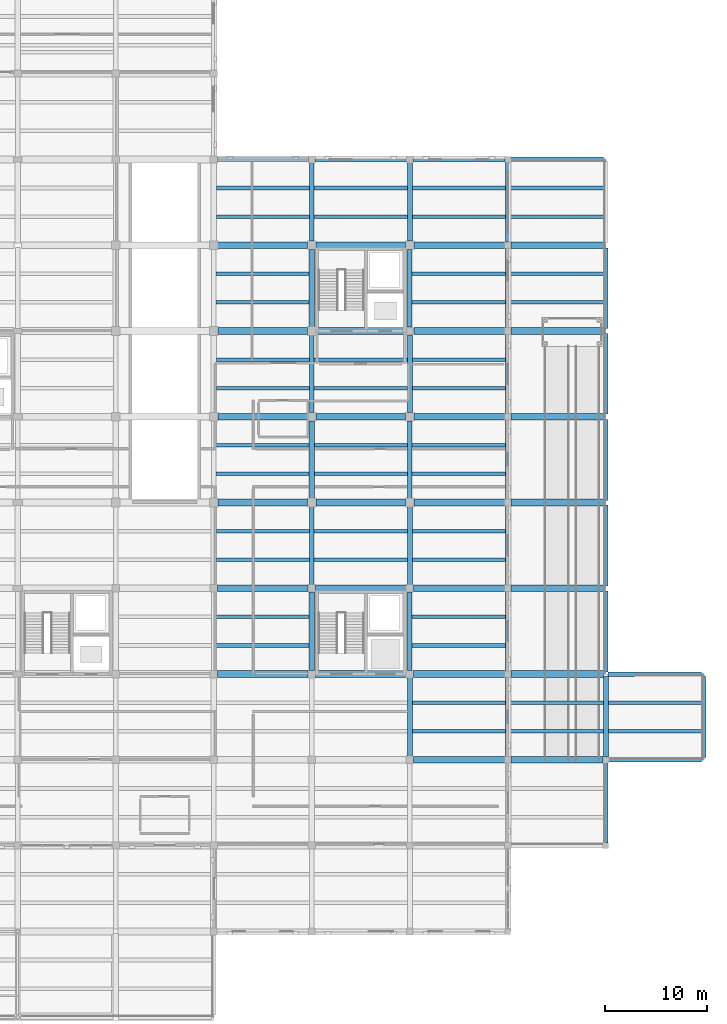
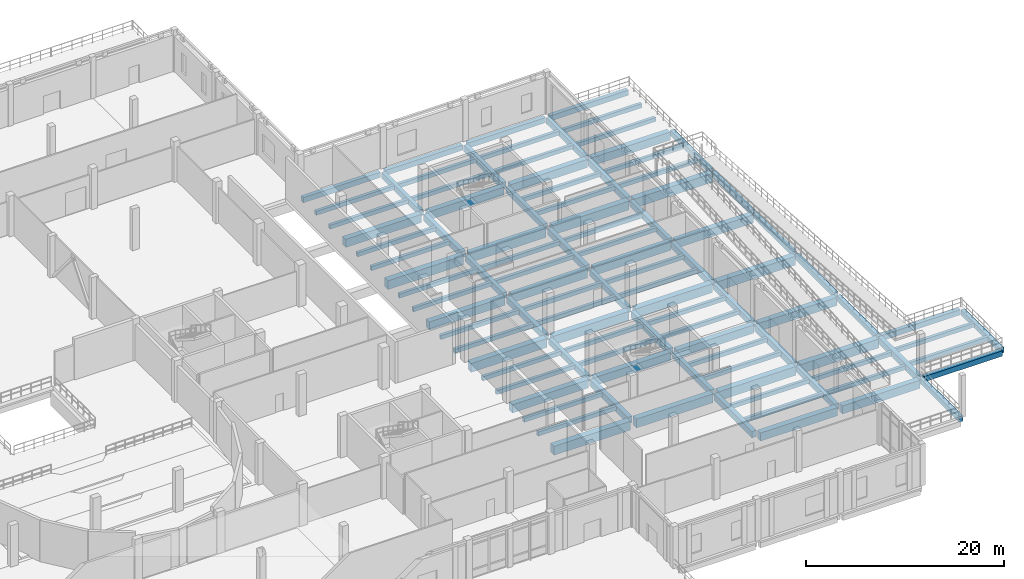
# One storey, part 38 of 71: 102 beams.
"""IFC4 building model written with IfcOpenShell, lengths in metres."""

from ifc_helpers import new_model, si_unit, direction, frame, origin, origin_2d, place, context, subcontext, project, spatial, rectangle, extrude, material, material_profile, profile_set, type_object, element, save


model = new_model("IFC4")

# Units and contexts
model_context = context("Model", 3, precision=1e-05, world=origin(), true_north=direction((0.0, 1.0)))
body_context = subcontext(model_context, "Body", "Model", "MODEL_VIEW")
ifc_project = project(units=[si_unit("LENGTHUNIT", "METRE"), si_unit("AREAUNIT", "SQUARE_METRE"), si_unit("VOLUMEUNIT", "CUBIC_METRE"), si_unit("PLANEANGLEUNIT", "RADIAN"), si_unit("MASSUNIT", "GRAM", prefix="KILO")], contexts=[model_context])

# Site, building, storey
site_placement = place(None, origin())
site = spatial("IfcSite", under=ifc_project, at=site_placement, CompositionType="ELEMENT")
building_placement = place(site_placement, origin())
building = spatial("IfcBuilding", under=site, at=building_placement, Name="Lornevale Opera House", CompositionType="ELEMENT")
storey_placement = place(building_placement, origin())
storey = spatial("IfcBuildingStorey", under=building, at=storey_placement, Name="L01", CompositionType="ELEMENT", Elevation=0.0)

# Beams
ifc_material_1 = material(Name="Concrete 35 MPa (CSA A23.1 N)", Category="concrete")
ifc_material_profile_1 = material_profile(ifc_material_1, rectangle(XDim=0.449951171875, YDim=0.75, at=origin_2d()), Name="RC450x750")
ifc_profile_set_1 = profile_set([ifc_material_profile_1], Name="Concrete 35 MPa (CSA A23.1 N)")
beam_type_1 = type_object("IfcBeamType", Name="Concrete Floor Beam 450x750", PredefinedType="USERDEFINED", material=ifc_profile_set_1)
beam_1_placement = place(storey_placement, frame((134.39990234375, 42.35009765625, -0.81494140625), z_axis=(0.0, 1.0, 0.0), x_axis=(-1.0, 0.0, 0.0)))
element("IfcBeam", 1, at=beam_1_placement, inside=storey, type_object=beam_type_1, Name="Concrete Floor Beam 450x750 1259", ObjectType="GIRDER", PredefinedType="USERDEFINED", context=body_context, shape_type="SweptSolid", body=[
    extrude(rectangle(XDim=0.449951171875, YDim=0.75, at=origin_2d()), origin(), (0.0, 0.0, 1.0), 7.64990234375),
])
beam_2_placement = place(storey_placement, frame((134.39990234375, 59.199951171875, -0.81494140625), z_axis=(0.0, 1.0, 0.0), x_axis=(-1.0, 0.0, 0.0)))
element("IfcBeam", 2, at=beam_2_placement, inside=storey, type_object=beam_type_1, Name="Concrete Floor Beam 450x750 1261", ObjectType="GIRDER", PredefinedType="USERDEFINED", context=body_context, shape_type="SweptSolid", body=[
    extrude(rectangle(XDim=0.449951171875, YDim=0.75, at=origin_2d()), origin(), (0.0, 0.0, 1.0), 7.60009765625),
])
for number, where, z_axis, x_axis, name in (
    (3, (134.39990234375, 76.0, -0.81494140625), (0.0, 1.0, 0.0), (-1.0, 0.0, 0.0), "Concrete Floor Beam 450x750 1263"),
    (4, (144.0, 33.949951171875, -0.81494140625), (0.0, 1.0, 0.0), (-1.0, 0.0, 0.0), "Concrete Floor Beam 450x750 1267"),
):
    element("IfcBeam", number, at=place(storey_placement, frame(where, z_axis=z_axis, x_axis=x_axis)), inside=storey, type_object=beam_type_1, Name=name, ObjectType="GIRDER", PredefinedType="USERDEFINED", context=body_context, shape_type="SweptSolid", body=[
        extrude(rectangle(XDim=0.449951171875, YDim=0.75, at=origin_2d()), origin(), (0.0, 0.0, 1.0), 7.699951171875),
    ])
for number, where, z_axis, x_axis, name in (
    (5, (144.0, 50.800048828125, -0.81494140625), (0.0, 1.0, 0.0), (-1.0, 0.0, 0.0), "Concrete Floor Beam 450x750 1269"),
    (6, (144.0, 67.60009765625, -0.81494140625), (0.0, 1.0, 0.0), (-1.0, 0.0, 0.0), "Concrete Floor Beam 450x750 1271"),
):
    element("IfcBeam", number, at=place(storey_placement, frame(where, z_axis=z_axis, x_axis=x_axis)), inside=storey, type_object=beam_type_1, Name=name, ObjectType="GIRDER", PredefinedType="USERDEFINED", context=body_context, shape_type="SweptSolid", body=[
        extrude(rectangle(XDim=0.449951171875, YDim=0.75, at=origin_2d()), origin(), (0.0, 0.0, 1.0), 7.599853515625),
    ])
for number, where, z_axis, x_axis, name in (
    (7, (153.60009765625, 25.5, -0.81494140625), (0.0, 1.0, 0.0), (-1.0, 0.0, 0.0), "Concrete Floor Beam 450x750 1275"),
    (8, (153.60009765625, 42.300048828125, -0.81494140625), (0.0, 1.0, 0.0), (-1.0, 0.0, 0.0), "Concrete Floor Beam 450x750 1277"),
):
    element("IfcBeam", number, at=place(storey_placement, frame(where, z_axis=z_axis, x_axis=x_axis)), inside=storey, type_object=beam_type_1, Name=name, ObjectType="GIRDER", PredefinedType="USERDEFINED", context=body_context, shape_type="SweptSolid", body=[
        extrude(rectangle(XDim=0.449951171875, YDim=0.75, at=origin_2d()), origin(), (0.0, 0.0, 1.0), 7.800048828125),
    ])
beam_3_placement = place(storey_placement, frame((153.60009765625, 59.10009765625, -0.81494140625), z_axis=(0.0, 1.0, 0.0), x_axis=(-1.0, 0.0, 0.0)))
element("IfcBeam", 9, at=beam_3_placement, inside=storey, type_object=beam_type_1, Name="Concrete Floor Beam 450x750 1279", ObjectType="GIRDER", PredefinedType="USERDEFINED", context=body_context, shape_type="SweptSolid", body=[
    extrude(rectangle(XDim=0.449951171875, YDim=0.75, at=origin_2d()), origin(), (0.0, 0.0, 1.0), 7.7998046875),
])
beam_4_placement = place(storey_placement, frame((153.60009765625, 75.89990234375, -0.81494140625), z_axis=(0.0, 1.0, 0.0), x_axis=(-1.0, 0.0, 0.0)))
element("IfcBeam", 10, at=beam_4_placement, inside=storey, type_object=beam_type_1, Name="Concrete Floor Beam 450x750 1281", ObjectType="GIRDER", PredefinedType="USERDEFINED", context=body_context, shape_type="SweptSolid", body=[
    extrude(rectangle(XDim=0.449951171875, YDim=0.75, at=origin_2d()), origin(), (0.0, 0.0, 1.0), 7.8251953125),
])
ifc_material_profile_2 = material_profile(ifc_material_1, rectangle(XDim=0.5, YDim=0.800048828125, at=origin_2d()), Name="RC500x800")
ifc_profile_set_2 = profile_set([ifc_material_profile_2], Name="Concrete 35 MPa (CSA A23.1 N)")
beam_type_2 = type_object("IfcBeamType", Name="Concrete Floor Beam 500x800", PredefinedType="USERDEFINED", material=ifc_profile_set_2)
beam_5_placement = place(storey_placement, frame((134.39990234375, 33.949951171875, -0.840087890625), z_axis=(0.0, 1.0, 0.0), x_axis=(-1.0, 0.0, 0.0)))
element("IfcBeam", 11, at=beam_5_placement, inside=storey, type_object=beam_type_2, Name="Concrete Floor Beam 500x800 1258", ObjectType="GIRDER", PredefinedType="USERDEFINED", context=body_context, shape_type="SweptSolid", body=[
    extrude(rectangle(XDim=0.5, YDim=0.800048828125, at=origin_2d()), origin(), (0.0, 0.0, 1.0), 7.699951171875),
])
for number, where, z_axis, x_axis, name in (
    (12, (134.39990234375, 50.800048828125, -0.840087890625), (0.0, 1.0, 0.0), (-1.0, 0.0, 0.0), "Concrete Floor Beam 500x800 1260"),
    (13, (134.39990234375, 67.60009765625, -0.840087890625), (0.0, 1.0, 0.0), (-1.0, 0.0, 0.0), "Concrete Floor Beam 500x800 1262"),
):
    element("IfcBeam", number, at=place(storey_placement, frame(where, z_axis=z_axis, x_axis=x_axis)), inside=storey, type_object=beam_type_2, Name=name, ObjectType="GIRDER", PredefinedType="USERDEFINED", context=body_context, shape_type="SweptSolid", body=[
        extrude(rectangle(XDim=0.5, YDim=0.800048828125, at=origin_2d()), origin(), (0.0, 0.0, 1.0), 7.599853515625),
    ])
beam_6_placement = place(storey_placement, frame((144.0, 25.550048828125, -0.840087890625), z_axis=(0.0, 1.0, 0.0), x_axis=(-1.0, 0.0, 0.0)))
element("IfcBeam", 14, at=beam_6_placement, inside=storey, type_object=beam_type_2, Name="Concrete Floor Beam 500x800 1266", ObjectType="GIRDER", PredefinedType="USERDEFINED", context=body_context, shape_type="SweptSolid", body=[
    extrude(rectangle(XDim=0.5, YDim=0.800048828125, at=origin_2d()), origin(), (0.0, 0.0, 1.0), 7.699951171875),
])
beam_7_placement = place(storey_placement, frame((144.0, 42.35009765625, -0.840087890625), z_axis=(0.0, 1.0, 0.0), x_axis=(-1.0, 0.0, 0.0)))
element("IfcBeam", 15, at=beam_7_placement, inside=storey, type_object=beam_type_2, Name="Concrete Floor Beam 500x800 1268", ObjectType="GIRDER", PredefinedType="USERDEFINED", context=body_context, shape_type="SweptSolid", body=[
    extrude(rectangle(XDim=0.5, YDim=0.800048828125, at=origin_2d()), origin(), (0.0, 0.0, 1.0), 7.64990234375),
])
beam_8_placement = place(storey_placement, frame((144.0, 59.199951171875, -0.840087890625), z_axis=(0.0, 1.0, 0.0), x_axis=(-1.0, 0.0, 0.0)))
element("IfcBeam", 16, at=beam_8_placement, inside=storey, type_object=beam_type_2, Name="Concrete Floor Beam 500x800 1270", ObjectType="GIRDER", PredefinedType="USERDEFINED", context=body_context, shape_type="SweptSolid", body=[
    extrude(rectangle(XDim=0.5, YDim=0.800048828125, at=origin_2d()), origin(), (0.0, 0.0, 1.0), 7.60009765625),
])
beam_9_placement = place(storey_placement, frame((144.0, 76.0, -0.840087890625), z_axis=(0.0, 1.0, 0.0), x_axis=(-1.0, 0.0, 0.0)))
element("IfcBeam", 17, at=beam_9_placement, inside=storey, type_object=beam_type_2, Name="Concrete Floor Beam 500x800 1272", ObjectType="GIRDER", PredefinedType="USERDEFINED", context=body_context, shape_type="SweptSolid", body=[
    extrude(rectangle(XDim=0.5, YDim=0.800048828125, at=origin_2d()), origin(), (0.0, 0.0, 1.0), 7.699951171875),
])
for number, where, z_axis, x_axis, name in (
    (18, (153.60009765625, 33.89990234375, -0.840087890625), (0.0, 1.0, 0.0), (-1.0, 0.0, 0.0), "Concrete Floor Beam 500x800 1276"),
    (19, (153.60009765625, 50.699951171875, -0.840087890625), (0.0, 1.0, 0.0), (-1.0, 0.0, 0.0), "Concrete Floor Beam 500x800 1278"),
    (20, (153.60009765625, 67.5, -0.840087890625), (0.0, 1.0, 0.0), (-1.0, 0.0, 0.0), "Concrete Floor Beam 500x800 1280"),
):
    element("IfcBeam", number, at=place(storey_placement, frame(where, z_axis=z_axis, x_axis=x_axis)), inside=storey, type_object=beam_type_2, Name=name, ObjectType="GIRDER", PredefinedType="USERDEFINED", context=body_context, shape_type="SweptSolid", body=[
        extrude(rectangle(XDim=0.5, YDim=0.800048828125, at=origin_2d()), origin(), (0.0, 0.0, 1.0), 7.800048828125),
    ])
beam_10_placement = place(storey_placement, frame((163.199951171875, 25.47509765625, -0.64990234375), z_axis=(0.0, 1.0, 0.0), x_axis=(-1.0, 0.0, 0.0)))
element("IfcBeam", 21, at=beam_10_placement, inside=storey, type_object=beam_type_2, Name="Concrete Floor Beam 500x800 1283", ObjectType="GIRDER", PredefinedType="USERDEFINED", context=body_context, shape_type="SweptSolid", body=[
    extrude(rectangle(XDim=0.5, YDim=0.800048828125, at=origin_2d()), origin(), (0.0, 0.0, 1.0), 7.89990234375),
])
ifc_material_2 = material(Name="Concrete 40 MPa (CSA A23.1 C-1)", Category="concrete")
ifc_material_profile_3 = material_profile(ifc_material_2, rectangle(XDim=0.64990234375, YDim=1.0, at=origin_2d()), Name="RC650x1000")
ifc_profile_set_3 = profile_set([ifc_material_profile_3], Name="Concrete 40 MPa (CSA A23.1 C-1)")
beam_type_3 = type_object("IfcBeamType", Name="Concrete Primary Girder 650x1000", PredefinedType="USERDEFINED", material=ifc_profile_set_3)
beam_11_placement = place(storey_placement, frame((144.35009765625, 25.199951171875, -0.93994140625), z_axis=(1.0, 0.0, 0.0), x_axis=(0.0, 1.0, 0.0)))
element("IfcBeam", 22, at=beam_11_placement, inside=storey, type_object=beam_type_3, Name="Concrete Primary Girder 650x1000 0904", ObjectType="GIRDER", PredefinedType="USERDEFINED", context=body_context, shape_type="SweptSolid", body=[
    extrude(rectangle(XDim=0.64990234375, YDim=1.0, at=origin_2d()), origin(), (0.0, 0.0, 1.0), 8.949951171875),
])
beam_12_placement = place(storey_placement, frame((153.89990234375, 25.199951171875, -0.93994140625), z_axis=(1.0, 0.0, 0.0), x_axis=(0.0, 1.0, 0.0)))
element("IfcBeam", 23, at=beam_12_placement, inside=storey, type_object=beam_type_3, Name="Concrete Primary Girder 650x1000 0905", ObjectType="GIRDER", PredefinedType="USERDEFINED", context=body_context, shape_type="SweptSolid", body=[
    extrude(rectangle(XDim=0.64990234375, YDim=1.0, at=origin_2d()), origin(), (0.0, 0.0, 1.0), 9.025146484375),
])
beam_13_placement = place(storey_placement, frame((125.14990234375, 42.0, -0.93994140625), z_axis=(1.0, 0.0, 0.0), x_axis=(0.0, 1.0, 0.0)))
element("IfcBeam", 24, at=beam_13_placement, inside=storey, type_object=beam_type_3, Name="Concrete Primary Girder 650x1000 0938", ObjectType="GIRDER", PredefinedType="USERDEFINED", context=body_context, shape_type="SweptSolid", body=[
    extrude(rectangle(XDim=0.64990234375, YDim=1.0, at=origin_2d()), origin(), (0.0, 0.0, 1.0), 8.900146484375),
])
beam_14_placement = place(storey_placement, frame((134.75, 42.0, -0.93994140625), z_axis=(1.0, 0.0, 0.0), x_axis=(0.0, 1.0, 0.0)))
element("IfcBeam", 25, at=beam_14_placement, inside=storey, type_object=beam_type_3, Name="Concrete Primary Girder 650x1000 0939", ObjectType="GIRDER", PredefinedType="USERDEFINED", context=body_context, shape_type="SweptSolid", body=[
    extrude(rectangle(XDim=0.64990234375, YDim=1.0, at=origin_2d()), origin(), (0.0, 0.0, 1.0), 8.89990234375),
])
beam_15_placement = place(storey_placement, frame((144.35009765625, 42.0, -0.93994140625), z_axis=(1.0, 0.0, 0.0), x_axis=(0.0, 1.0, 0.0)))
element("IfcBeam", 26, at=beam_15_placement, inside=storey, type_object=beam_type_3, Name="Concrete Primary Girder 650x1000 0940", ObjectType="GIRDER", PredefinedType="USERDEFINED", context=body_context, shape_type="SweptSolid", body=[
    extrude(rectangle(XDim=0.64990234375, YDim=1.0, at=origin_2d()), origin(), (0.0, 0.0, 1.0), 8.949951171875),
])
beam_16_placement = place(storey_placement, frame((153.89990234375, 42.0, -0.93994140625), z_axis=(1.0, 0.0, 0.0), x_axis=(0.0, 1.0, 0.0)))
element("IfcBeam", 27, at=beam_16_placement, inside=storey, type_object=beam_type_3, Name="Concrete Primary Girder 650x1000 0941", ObjectType="GIRDER", PredefinedType="USERDEFINED", context=body_context, shape_type="SweptSolid", body=[
    extrude(rectangle(XDim=0.64990234375, YDim=1.0, at=origin_2d()), origin(), (0.0, 0.0, 1.0), 9.050048828125),
])
for number, where, z_axis, x_axis, name in (
    (28, (125.199951171875, 58.800048828125, -0.93994140625), (1.0, 0.0, 0.0), (0.0, 1.0, 0.0), "Concrete Primary Girder 650x1000 0970"),
    (29, (134.800048828125, 58.800048828125, -0.93994140625), (1.0, 0.0, 0.0), (0.0, 1.0, 0.0), "Concrete Primary Girder 650x1000 0971"),
):
    element("IfcBeam", number, at=place(storey_placement, frame(where, z_axis=z_axis, x_axis=x_axis)), inside=storey, type_object=beam_type_3, Name=name, ObjectType="GIRDER", PredefinedType="USERDEFINED", context=body_context, shape_type="SweptSolid", body=[
        extrude(rectangle(XDim=0.64990234375, YDim=1.0, at=origin_2d()), origin(), (0.0, 0.0, 1.0), 8.800048828125),
    ])
beam_17_placement = place(storey_placement, frame((144.39990234375, 58.800048828125, -0.93994140625), z_axis=(1.0, 0.0, 0.0), x_axis=(0.0, 1.0, 0.0)))
element("IfcBeam", 30, at=beam_17_placement, inside=storey, type_object=beam_type_3, Name="Concrete Primary Girder 650x1000 0972", ObjectType="GIRDER", PredefinedType="USERDEFINED", context=body_context, shape_type="SweptSolid", body=[
    extrude(rectangle(XDim=0.64990234375, YDim=1.0, at=origin_2d()), origin(), (0.0, 0.0, 1.0), 8.900146484375),
])
beam_18_placement = place(storey_placement, frame((153.89990234375, 58.800048828125, -0.93994140625), z_axis=(1.0, 0.0, 0.0), x_axis=(0.0, 1.0, 0.0)))
element("IfcBeam", 31, at=beam_18_placement, inside=storey, type_object=beam_type_3, Name="Concrete Primary Girder 650x1000 0973", ObjectType="GIRDER", PredefinedType="USERDEFINED", context=body_context, shape_type="SweptSolid", body=[
    extrude(rectangle(XDim=0.64990234375, YDim=1.0, at=origin_2d()), origin(), (0.0, 0.0, 1.0), 9.050048828125),
])
beam_19_placement = place(storey_placement, frame((125.175048828125, 75.60009765625, -0.93994140625), z_axis=(1.0, 0.0, 0.0), x_axis=(0.0, 1.0, 0.0)))
element("IfcBeam", 32, at=beam_19_placement, inside=storey, type_object=beam_type_3, Name="Concrete Primary Girder 650x1000 1004", ObjectType="GIRDER", PredefinedType="USERDEFINED", context=body_context, shape_type="SweptSolid", body=[
    extrude(rectangle(XDim=0.64990234375, YDim=1.0, at=origin_2d()), origin(), (0.0, 0.0, 1.0), 8.824951171875),
])
beam_20_placement = place(storey_placement, frame((134.800048828125, 75.60009765625, -0.93994140625), z_axis=(1.0, 0.0, 0.0), x_axis=(0.0, 1.0, 0.0)))
element("IfcBeam", 33, at=beam_20_placement, inside=storey, type_object=beam_type_3, Name="Concrete Primary Girder 650x1000 1005", ObjectType="GIRDER", PredefinedType="USERDEFINED", context=body_context, shape_type="SweptSolid", body=[
    extrude(rectangle(XDim=0.64990234375, YDim=1.0, at=origin_2d()), origin(), (0.0, 0.0, 1.0), 8.800048828125),
])
beam_21_placement = place(storey_placement, frame((144.39990234375, 75.60009765625, -0.93994140625), z_axis=(1.0, 0.0, 0.0), x_axis=(0.0, 1.0, 0.0)))
element("IfcBeam", 34, at=beam_21_placement, inside=storey, type_object=beam_type_3, Name="Concrete Primary Girder 650x1000 1006", ObjectType="GIRDER", PredefinedType="USERDEFINED", context=body_context, shape_type="SweptSolid", body=[
    extrude(rectangle(XDim=0.64990234375, YDim=1.0, at=origin_2d()), origin(), (0.0, 0.0, 1.0), 8.900146484375),
])
beam_22_placement = place(storey_placement, frame((153.89990234375, 75.60009765625, -0.93994140625), z_axis=(1.0, 0.0, 0.0), x_axis=(0.0, 1.0, 0.0)))
element("IfcBeam", 35, at=beam_22_placement, inside=storey, type_object=beam_type_3, Name="Concrete Primary Girder 650x1000 1007", ObjectType="GIRDER", PredefinedType="USERDEFINED", context=body_context, shape_type="SweptSolid", body=[
    extrude(rectangle(XDim=0.64990234375, YDim=1.0, at=origin_2d()), origin(), (0.0, 0.0, 1.0), 9.050048828125),
])
ifc_material_profile_4 = material_profile(ifc_material_2, rectangle(XDim=0.699951171875, YDim=1.10009765625, at=origin_2d()), Name="RC700x1100")
ifc_profile_set_4 = profile_set([ifc_material_profile_4], Name="Concrete 40 MPa (CSA A23.1 C-1)")
beam_type_4 = type_object("IfcBeamType", Name="Concrete Primary Girder 700x1100", PredefinedType="USERDEFINED", material=ifc_profile_set_4)
beam_23_placement = place(storey_placement, frame((125.14990234375, 33.60009765625, -0.989990234375), z_axis=(1.0, 0.0, 0.0), x_axis=(0.0, 1.0, 0.0)))
element("IfcBeam", 36, at=beam_23_placement, inside=storey, type_object=beam_type_4, Name="Concrete Primary Girder 700x1100 0920", ObjectType="GIRDER", PredefinedType="USERDEFINED", context=body_context, shape_type="SweptSolid", body=[
    extrude(rectangle(XDim=0.699951171875, YDim=1.10009765625, at=origin_2d()), origin(), (0.0, 0.0, 1.0), 8.900146484375),
])
beam_24_placement = place(storey_placement, frame((134.75, 33.60009765625, -0.989990234375), z_axis=(1.0, 0.0, 0.0), x_axis=(0.0, 1.0, 0.0)))
element("IfcBeam", 37, at=beam_24_placement, inside=storey, type_object=beam_type_4, Name="Concrete Primary Girder 700x1100 0921", ObjectType="GIRDER", PredefinedType="USERDEFINED", context=body_context, shape_type="SweptSolid", body=[
    extrude(rectangle(XDim=0.699951171875, YDim=1.10009765625, at=origin_2d()), origin(), (0.0, 0.0, 1.0), 8.89990234375),
])
beam_25_placement = place(storey_placement, frame((144.35009765625, 33.60009765625, -0.989990234375), z_axis=(1.0, 0.0, 0.0), x_axis=(0.0, 1.0, 0.0)))
element("IfcBeam", 38, at=beam_25_placement, inside=storey, type_object=beam_type_4, Name="Concrete Primary Girder 700x1100 0922", ObjectType="GIRDER", PredefinedType="USERDEFINED", context=body_context, shape_type="SweptSolid", body=[
    extrude(rectangle(XDim=0.699951171875, YDim=1.10009765625, at=origin_2d()), origin(), (0.0, 0.0, 1.0), 8.949951171875),
])
beam_26_placement = place(storey_placement, frame((153.89990234375, 33.60009765625, -0.989990234375), z_axis=(1.0, 0.0, 0.0), x_axis=(0.0, 1.0, 0.0)))
element("IfcBeam", 39, at=beam_26_placement, inside=storey, type_object=beam_type_4, Name="Concrete Primary Girder 700x1100 0923", ObjectType="GIRDER", PredefinedType="USERDEFINED", context=body_context, shape_type="SweptSolid", body=[
    extrude(rectangle(XDim=0.699951171875, YDim=1.10009765625, at=origin_2d()), origin(), (0.0, 0.0, 1.0), 9.0751953125),
])
for number, where, z_axis, x_axis, name in (
    (40, (125.199951171875, 50.39990234375, -0.989990234375), (1.0, 0.0, 0.0), (0.0, 1.0, 0.0), "Concrete Primary Girder 700x1100 0955"),
    (41, (134.800048828125, 50.39990234375, -0.989990234375), (1.0, 0.0, 0.0), (0.0, 1.0, 0.0), "Concrete Primary Girder 700x1100 0956"),
):
    element("IfcBeam", number, at=place(storey_placement, frame(where, z_axis=z_axis, x_axis=x_axis)), inside=storey, type_object=beam_type_4, Name=name, ObjectType="GIRDER", PredefinedType="USERDEFINED", context=body_context, shape_type="SweptSolid", body=[
        extrude(rectangle(XDim=0.699951171875, YDim=1.10009765625, at=origin_2d()), origin(), (0.0, 0.0, 1.0), 8.800048828125),
    ])
beam_27_placement = place(storey_placement, frame((144.39990234375, 50.39990234375, -0.989990234375), z_axis=(1.0, 0.0, 0.0), x_axis=(0.0, 1.0, 0.0)))
element("IfcBeam", 42, at=beam_27_placement, inside=storey, type_object=beam_type_4, Name="Concrete Primary Girder 700x1100 0957", ObjectType="GIRDER", PredefinedType="USERDEFINED", context=body_context, shape_type="SweptSolid", body=[
    extrude(rectangle(XDim=0.699951171875, YDim=1.10009765625, at=origin_2d()), origin(), (0.0, 0.0, 1.0), 8.900146484375),
])
beam_28_placement = place(storey_placement, frame((153.89990234375, 50.39990234375, -0.989990234375), z_axis=(1.0, 0.0, 0.0), x_axis=(0.0, 1.0, 0.0)))
element("IfcBeam", 43, at=beam_28_placement, inside=storey, type_object=beam_type_4, Name="Concrete Primary Girder 700x1100 0958", ObjectType="GIRDER", PredefinedType="USERDEFINED", context=body_context, shape_type="SweptSolid", body=[
    extrude(rectangle(XDim=0.699951171875, YDim=1.10009765625, at=origin_2d()), origin(), (0.0, 0.0, 1.0), 9.0751953125),
])
for number, where, z_axis, x_axis, name in (
    (44, (125.199951171875, 67.199951171875, -0.989990234375), (1.0, 0.0, 0.0), (0.0, 1.0, 0.0), "Concrete Primary Girder 700x1100 0987"),
    (45, (134.800048828125, 67.199951171875, -0.989990234375), (1.0, 0.0, 0.0), (0.0, 1.0, 0.0), "Concrete Primary Girder 700x1100 0988"),
):
    element("IfcBeam", number, at=place(storey_placement, frame(where, z_axis=z_axis, x_axis=x_axis)), inside=storey, type_object=beam_type_4, Name=name, ObjectType="GIRDER", PredefinedType="USERDEFINED", context=body_context, shape_type="SweptSolid", body=[
        extrude(rectangle(XDim=0.699951171875, YDim=1.10009765625, at=origin_2d()), origin(), (0.0, 0.0, 1.0), 8.800048828125),
    ])
beam_29_placement = place(storey_placement, frame((144.39990234375, 67.199951171875, -0.989990234375), z_axis=(1.0, 0.0, 0.0), x_axis=(0.0, 1.0, 0.0)))
element("IfcBeam", 46, at=beam_29_placement, inside=storey, type_object=beam_type_4, Name="Concrete Primary Girder 700x1100 0989", ObjectType="GIRDER", PredefinedType="USERDEFINED", context=body_context, shape_type="SweptSolid", body=[
    extrude(rectangle(XDim=0.699951171875, YDim=1.10009765625, at=origin_2d()), origin(), (0.0, 0.0, 1.0), 8.900146484375),
])
beam_30_placement = place(storey_placement, frame((153.89990234375, 67.199951171875, -0.989990234375), z_axis=(1.0, 0.0, 0.0), x_axis=(0.0, 1.0, 0.0)))
element("IfcBeam", 47, at=beam_30_placement, inside=storey, type_object=beam_type_4, Name="Concrete Primary Girder 700x1100 0990", ObjectType="GIRDER", PredefinedType="USERDEFINED", context=body_context, shape_type="SweptSolid", body=[
    extrude(rectangle(XDim=0.699951171875, YDim=1.10009765625, at=origin_2d()), origin(), (0.0, 0.0, 1.0), 9.0751953125),
])
ifc_material_profile_5 = material_profile(ifc_material_1, rectangle(XDim=0.35009765625, YDim=0.5, at=origin_2d()), Name="RC350x500")
ifc_profile_set_5 = profile_set([ifc_material_profile_5], Name="Concrete 35 MPa (CSA A23.1 N)")
beam_type_5 = type_object("IfcBeamType", Name="Concrete Secondary Rib 350x500", PredefinedType="JOIST", material=ifc_profile_set_5)
for number, where, z_axis, x_axis, name in (
    (48, (125.02490234375, 36.39990234375, -0.68994140625), (1.0, 0.0, 0.0), (0.0, 1.0, 0.0), "Concrete Secondary Rib 350x500 1617"),
    (49, (125.02490234375, 39.199951171875, -0.68994140625), (1.0, 0.0, 0.0), (0.0, 1.0, 0.0), "Concrete Secondary Rib 350x500 1618"),
    (50, (125.050048828125, 44.800048828125, -0.68994140625), (1.0, 0.0, 0.0), (0.0, 1.0, 0.0), "Concrete Secondary Rib 350x500 1619"),
    (51, (125.050048828125, 47.60009765625, -0.68994140625), (1.0, 0.0, 0.0), (0.0, 1.0, 0.0), "Concrete Secondary Rib 350x500 1620"),
    (52, (125.02490234375, 53.199951171875, -0.68994140625), (1.0, 0.0, 0.0), (0.0, 1.0, 0.0), "Concrete Secondary Rib 350x500 1621"),
    (53, (125.02490234375, 56.0, -0.68994140625), (1.0, 0.0, 0.0), (0.0, 1.0, 0.0), "Concrete Secondary Rib 350x500 1622"),
    (54, (125.050048828125, 61.60009765625, -0.68994140625), (1.0, 0.0, 0.0), (0.0, 1.0, 0.0), "Concrete Secondary Rib 350x500 1623"),
    (55, (125.050048828125, 64.39990234375, -0.68994140625), (1.0, 0.0, 0.0), (0.0, 1.0, 0.0), "Concrete Secondary Rib 350x500 1624"),
    (56, (125.02490234375, 70.0, -0.68994140625), (1.0, 0.0, 0.0), (0.0, 1.0, 0.0), "Concrete Secondary Rib 350x500 1625"),
    (57, (125.02490234375, 72.800048828125, -0.68994140625), (1.0, 0.0, 0.0), (0.0, 1.0, 0.0), "Concrete Secondary Rib 350x500 1626"),
    (58, (125.050048828125, 78.39990234375, -0.68994140625), (1.0, 0.0, 0.0), (0.0, 1.0, 0.0), "Concrete Secondary Rib 350x500 1627"),
    (59, (125.050048828125, 81.199951171875, -0.68994140625), (1.0, 0.0, 0.0), (0.0, 1.0, 0.0), "Concrete Secondary Rib 350x500 1628"),
    (60, (134.625, 44.800048828125, -0.68994140625), (1.0, 0.0, 0.0), (0.0, 1.0, 0.0), "Concrete Secondary Rib 350x500 1635"),
    (61, (134.625, 47.60009765625, -0.68994140625), (1.0, 0.0, 0.0), (0.0, 1.0, 0.0), "Concrete Secondary Rib 350x500 1636"),
    (62, (134.64990234375, 53.199951171875, -0.68994140625), (1.0, 0.0, 0.0), (0.0, 1.0, 0.0), "Concrete Secondary Rib 350x500 1637"),
    (63, (134.64990234375, 56.0, -0.68994140625), (1.0, 0.0, 0.0), (0.0, 1.0, 0.0), "Concrete Secondary Rib 350x500 1638"),
    (64, (134.625, 61.60009765625, -0.68994140625), (1.0, 0.0, 0.0), (0.0, 1.0, 0.0), "Concrete Secondary Rib 350x500 1639"),
    (65, (134.625, 64.39990234375, -0.68994140625), (1.0, 0.0, 0.0), (0.0, 1.0, 0.0), "Concrete Secondary Rib 350x500 1640"),
    (66, (134.625, 78.39990234375, -0.68994140625), (1.0, 0.0, 0.0), (0.0, 1.0, 0.0), "Concrete Secondary Rib 350x500 1641"),
    (67, (134.625, 81.199951171875, -0.68994140625), (1.0, 0.0, 0.0), (0.0, 1.0, 0.0), "Concrete Secondary Rib 350x500 1642"),
    (68, (144.25, 28.0, -0.68994140625), (1.0, 0.0, 0.0), (0.0, 1.0, 0.0), "Concrete Secondary Rib 350x500 1647"),
    (69, (144.25, 30.800048828125, -0.68994140625), (1.0, 0.0, 0.0), (0.0, 1.0, 0.0), "Concrete Secondary Rib 350x500 1648"),
    (70, (144.22509765625, 36.39990234375, -0.68994140625), (1.0, 0.0, 0.0), (0.0, 1.0, 0.0), "Concrete Secondary Rib 350x500 1649"),
    (71, (144.22509765625, 39.199951171875, -0.68994140625), (1.0, 0.0, 0.0), (0.0, 1.0, 0.0), "Concrete Secondary Rib 350x500 1650"),
    (72, (144.25, 44.800048828125, -0.68994140625), (1.0, 0.0, 0.0), (0.0, 1.0, 0.0), "Concrete Secondary Rib 350x500 1651"),
    (73, (144.25, 47.60009765625, -0.68994140625), (1.0, 0.0, 0.0), (0.0, 1.0, 0.0), "Concrete Secondary Rib 350x500 1652"),
    (74, (144.22509765625, 53.199951171875, -0.68994140625), (1.0, 0.0, 0.0), (0.0, 1.0, 0.0), "Concrete Secondary Rib 350x500 1653"),
    (75, (144.22509765625, 56.0, -0.68994140625), (1.0, 0.0, 0.0), (0.0, 1.0, 0.0), "Concrete Secondary Rib 350x500 1654"),
    (76, (144.25, 61.60009765625, -0.68994140625), (1.0, 0.0, 0.0), (0.0, 1.0, 0.0), "Concrete Secondary Rib 350x500 1655"),
    (77, (144.25, 64.39990234375, -0.68994140625), (1.0, 0.0, 0.0), (0.0, 1.0, 0.0), "Concrete Secondary Rib 350x500 1656"),
    (78, (144.22509765625, 70.0, -0.68994140625), (1.0, 0.0, 0.0), (0.0, 1.0, 0.0), "Concrete Secondary Rib 350x500 1657"),
    (79, (144.22509765625, 72.800048828125, -0.68994140625), (1.0, 0.0, 0.0), (0.0, 1.0, 0.0), "Concrete Secondary Rib 350x500 1658"),
    (80, (144.25, 78.39990234375, -0.68994140625), (1.0, 0.0, 0.0), (0.0, 1.0, 0.0), "Concrete Secondary Rib 350x500 1659"),
    (81, (144.25, 81.199951171875, -0.68994140625), (1.0, 0.0, 0.0), (0.0, 1.0, 0.0), "Concrete Secondary Rib 350x500 1660"),
    (82, (153.824951171875, 28.0, -0.68994140625), (1.0, 0.0, 0.0), (0.0, 1.0, 0.0), "Concrete Secondary Rib 350x500 1663"),
    (83, (153.824951171875, 30.800048828125, -0.68994140625), (1.0, 0.0, 0.0), (0.0, 1.0, 0.0), "Concrete Secondary Rib 350x500 1664"),
    (84, (153.85009765625, 70.0, -0.68994140625), (1.0, 0.0, 0.0), (0.0, 1.0, 0.0), "Concrete Secondary Rib 350x500 1665"),
    (85, (153.85009765625, 72.800048828125, -0.68994140625), (1.0, 0.0, 0.0), (0.0, 1.0, 0.0), "Concrete Secondary Rib 350x500 1666"),
):
    element("IfcBeam", number, at=place(storey_placement, frame(where, z_axis=z_axis, x_axis=x_axis)), inside=storey, type_object=beam_type_5, Name=name, PredefinedType="JOIST", context=body_context, shape_type="SweptSolid", body=[
        extrude(rectangle(XDim=0.35009765625, YDim=0.5, at=origin_2d()), origin(), (0.0, 0.0, 1.0), 9.125),
    ])
for number, where, z_axis, x_axis, name in (
    (86, (153.824951171875, 78.39990234375, -0.68994140625), (1.0, 0.0, 0.0), (0.0, 1.0, 0.0), "Concrete Secondary Rib 350x500 1667"),
    (87, (153.824951171875, 81.199951171875, -0.68994140625), (1.0, 0.0, 0.0), (0.0, 1.0, 0.0), "Concrete Secondary Rib 350x500 1668"),
):
    element("IfcBeam", number, at=place(storey_placement, frame(where, z_axis=z_axis, x_axis=x_axis)), inside=storey, type_object=beam_type_5, Name=name, PredefinedType="JOIST", context=body_context, shape_type="SweptSolid", body=[
        extrude(rectangle(XDim=0.35009765625, YDim=0.5, at=origin_2d()), origin(), (0.0, 0.0, 1.0), 9.150146484375),
    ])
for number, where, z_axis, x_axis, name in (
    (88, (163.449951171875, 28.0, -0.5), (1.0, 0.0, 0.0), (0.0, 1.0, 0.0), "Concrete Secondary Rib 350x500 1669"),
    (89, (163.449951171875, 30.800048828125, -0.5), (1.0, 0.0, 0.0), (0.0, 1.0, 0.0), "Concrete Secondary Rib 350x500 1670"),
):
    element("IfcBeam", number, at=place(storey_placement, frame(where, z_axis=z_axis, x_axis=x_axis)), inside=storey, type_object=beam_type_5, Name=name, PredefinedType="JOIST", context=body_context, shape_type="SweptSolid", body=[
        extrude(rectangle(XDim=0.35009765625, YDim=0.5, at=origin_2d()), origin(), (0.0, 0.0, 1.0), 9.125),
    ])
ifc_material_profile_6 = material_profile(ifc_material_1, rectangle(XDim=0.449951171875, YDim=0.64990234375, at=origin_2d()), Name="RC450x650")
ifc_profile_set_6 = profile_set([ifc_material_profile_6], Name="Concrete 35 MPa (CSA A23.1 N)")
beam_type_6 = type_object("IfcBeamType", Name="Concrete Spandrel Beam 450x650", PredefinedType="SPANDREL", material=ifc_profile_set_6)
beam_31_placement = place(storey_placement, frame((163.47509765625, 25.199951171875, -0.574951171875), z_axis=(1.0, 0.0, 0.0), x_axis=(0.0, 1.0, 0.0)))
element("IfcBeam", 90, at=beam_31_placement, inside=storey, type_object=beam_type_6, Name="Concrete Spandrel Beam 450x650 0906", PredefinedType="SPANDREL", context=body_context, shape_type="SweptSolid", body=[
    extrude(rectangle(XDim=0.449951171875, YDim=0.64990234375, at=origin_2d()), origin(), (0.0, 0.0, 1.0), 9.099853515625),
])
beam_32_placement = place(storey_placement, frame((163.425048828125, 33.60009765625, -0.574951171875), z_axis=(1.0, 0.0, 0.0), x_axis=(0.0, 1.0, 0.0)))
element("IfcBeam", 91, at=beam_32_placement, inside=storey, type_object=beam_type_6, Name="Concrete Spandrel Beam 450x650 0924", PredefinedType="SPANDREL", context=body_context, shape_type="SweptSolid", body=[
    extrude(rectangle(XDim=0.449951171875, YDim=0.64990234375, at=origin_2d()), origin(), (0.0, 0.0, 1.0), 9.125),
])
beam_33_placement = place(storey_placement, frame((125.125, 84.0, -0.764892578125), z_axis=(1.0, 0.0, 0.0), x_axis=(0.0, 1.0, 0.0)))
element("IfcBeam", 92, at=beam_33_placement, inside=storey, type_object=beam_type_6, Name="Concrete Spandrel Beam 450x650 1021", PredefinedType="SPANDREL", context=body_context, shape_type="SweptSolid", body=[
    extrude(rectangle(XDim=0.449951171875, YDim=0.64990234375, at=origin_2d()), origin(), (0.0, 0.0, 1.0), 8.97509765625),
])
beam_34_placement = place(storey_placement, frame((134.699951171875, 84.0, -0.764892578125), z_axis=(1.0, 0.0, 0.0), x_axis=(0.0, 1.0, 0.0)))
element("IfcBeam", 93, at=beam_34_placement, inside=storey, type_object=beam_type_6, Name="Concrete Spandrel Beam 450x650 1022", PredefinedType="SPANDREL", context=body_context, shape_type="SweptSolid", body=[
    extrude(rectangle(XDim=0.449951171875, YDim=0.64990234375, at=origin_2d()), origin(), (0.0, 0.0, 1.0), 9.0),
])
beam_35_placement = place(storey_placement, frame((144.300048828125, 84.0, -0.764892578125), z_axis=(1.0, 0.0, 0.0), x_axis=(0.0, 1.0, 0.0)))
element("IfcBeam", 94, at=beam_35_placement, inside=storey, type_object=beam_type_6, Name="Concrete Spandrel Beam 450x650 1023", PredefinedType="SPANDREL", context=body_context, shape_type="SweptSolid", body=[
    extrude(rectangle(XDim=0.449951171875, YDim=0.64990234375, at=origin_2d()), origin(), (0.0, 0.0, 1.0), 9.02490234375),
])
beam_36_placement = place(storey_placement, frame((153.875, 84.0, -0.764892578125), z_axis=(1.0, 0.0, 0.0), x_axis=(0.0, 1.0, 0.0)))
element("IfcBeam", 95, at=beam_36_placement, inside=storey, type_object=beam_type_6, Name="Concrete Spandrel Beam 450x650 1024", PredefinedType="SPANDREL", context=body_context, shape_type="SweptSolid", body=[
    extrude(rectangle(XDim=0.449951171875, YDim=0.64990234375, at=origin_2d()), origin(), (0.0, 0.0, 1.0), 9.10009765625),
])
beam_37_placement = place(storey_placement, frame((163.199951171875, 17.074951171875, -0.574951171875), z_axis=(0.0, 1.0, 0.0), x_axis=(-1.0, 0.0, 0.0)))
element("IfcBeam", 96, at=beam_37_placement, inside=storey, type_object=beam_type_6, Name="Concrete Spandrel Beam 450x650 1282", PredefinedType="SPANDREL", context=body_context, shape_type="SweptSolid", body=[
    extrude(rectangle(XDim=0.449951171875, YDim=0.64990234375, at=origin_2d()), origin(), (0.0, 0.0, 1.0), 7.85009765625),
])
for number, where, z_axis, x_axis, name in (
    (97, (163.199951171875, 33.824951171875, -0.574951171875), (0.0, 1.0, 0.0), (-1.0, 0.0, 0.0), "Concrete Spandrel Beam 450x650 1284"),
    (98, (163.199951171875, 42.25, -0.574951171875), (0.0, 1.0, 0.0), (-1.0, 0.0, 0.0), "Concrete Spandrel Beam 450x650 1285"),
    (99, (163.199951171875, 50.625, -0.574951171875), (0.0, 1.0, 0.0), (-1.0, 0.0, 0.0), "Concrete Spandrel Beam 450x650 1286"),
    (100, (163.199951171875, 59.050048828125, -0.574951171875), (0.0, 1.0, 0.0), (-1.0, 0.0, 0.0), "Concrete Spandrel Beam 450x650 1287"),
    (101, (163.199951171875, 67.425048828125, -0.574951171875), (0.0, 1.0, 0.0), (-1.0, 0.0, 0.0), "Concrete Spandrel Beam 450x650 1288"),
    (102, (172.800048828125, 25.425048828125, -0.574951171875), (0.0, 1.0, 0.0), (-1.0, 0.0, 0.0), "Concrete Spandrel Beam 450x650 1290"),
):
    element("IfcBeam", number, at=place(storey_placement, frame(where, z_axis=z_axis, x_axis=x_axis)), inside=storey, type_object=beam_type_6, Name=name, PredefinedType="SPANDREL", context=body_context, shape_type="SweptSolid", body=[
        extrude(rectangle(XDim=0.449951171875, YDim=0.64990234375, at=origin_2d()), origin(), (0.0, 0.0, 1.0), 7.925048828125),
    ])

save(model, "model.ifc")
